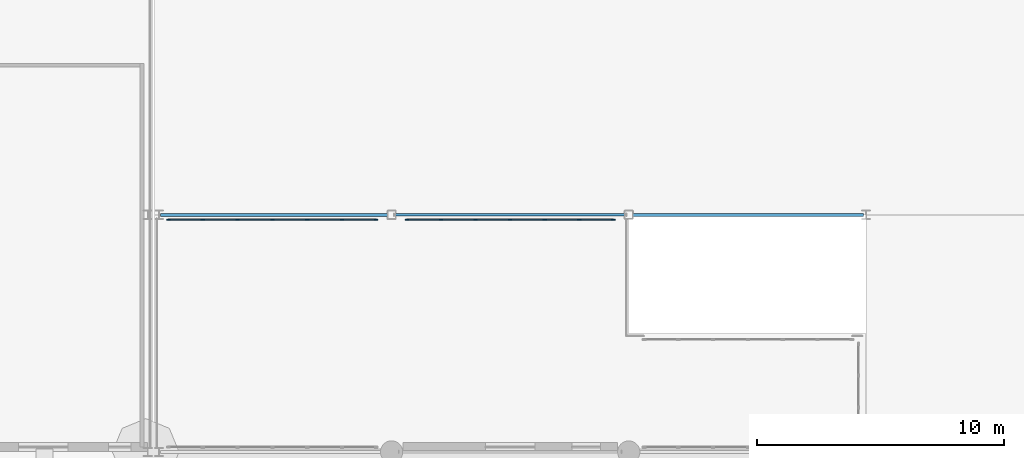
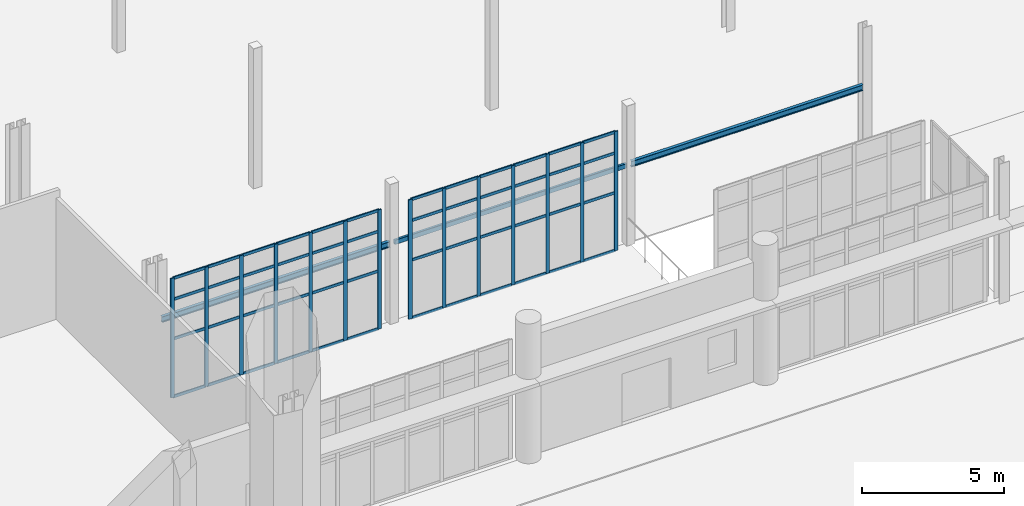
# One storey, part 29 of 139: 62 members, 3 beams, 2 elements without a shape of their own.
"""IFC4 building model written with IfcOpenShell, lengths in metres."""

from ifc_helpers import new_model, si_unit, direction, frame, origin, origin_2d, place, context, subcontext, project, spatial, rectangle, hollow_rectangle, i_section, extrude, material, layer, layer_set, material_profile, profile_set, type_object, element, aggregate, save


model = new_model("IFC4")

# Units and contexts
model_context = context("Model", 3, precision=1e-05, world=origin(), true_north=direction((0.0, 1.0)))
body_context = subcontext(model_context, "Body", "Model", "MODEL_VIEW")
ifc_project = project(units=[si_unit("LENGTHUNIT", "METRE"), si_unit("AREAUNIT", "SQUARE_METRE"), si_unit("VOLUMEUNIT", "CUBIC_METRE"), si_unit("PLANEANGLEUNIT", "RADIAN"), si_unit("MASSUNIT", "GRAM", prefix="KILO")], contexts=[model_context])

# Site, building, storey
site_placement = place(None, origin())
site = spatial("IfcSite", under=ifc_project, at=site_placement, CompositionType="ELEMENT")
building_placement = place(site_placement, origin())
building = spatial("IfcBuilding", under=site, at=building_placement, Name="Yeouljin Market Hall", CompositionType="ELEMENT")
storey_placement = place(building_placement, origin())
storey = spatial("IfcBuildingStorey", under=building, at=storey_placement, Name="L00", CompositionType="ELEMENT", Elevation=0.0)

# Curtain wall, members
ifc_material_1 = material(Name="Thermally Broken Aluminium", Category="aluminium")
ifc_layer = layer(ifc_material_1, 0.14990234375)
ifc_layer_set = layer_set([ifc_layer], Name="Thermally Broken Aluminium")
curtain_wall_type = type_object("IfcCurtainWallType", Name="CW_ColonnadeScreen_System", PredefinedType="USERDEFINED", material=ifc_layer_set)
curtain_wall_1_placement = place(storey_placement, origin())
curtain_wall_1 = element("IfcCurtainWall", 1, at=curtain_wall_1_placement, inside=storey, type_object=curtain_wall_type, Name="Curtain wall CW-V5N-L00-1", ObjectType="CURTAIN WALL", PredefinedType="USERDEFINED")
ifc_material_2 = material(Name="Thermally Broken Aluminium", Category="aluminium")
ifc_material_profile_1 = material_profile(ifc_material_2, rectangle(XDim=0.048095703125, YDim=0.14990234375, at=origin_2d()), Name="CW-MULL-48x150")
ifc_profile_set_1 = profile_set([ifc_material_profile_1], Name="Thermally Broken Aluminium")
member_type_1 = type_object("IfcMemberType", Name="CWMullion_48x150", PredefinedType="MULLION", material=ifc_profile_set_1)
member_1_placement = place(storey_placement, frame((35.97412109375, 9.39990234375, 0.0), z_axis=(0.0, 0.0, 1.0), x_axis=(0.0, 1.0, 0.0)))
member_1 = element("IfcMember", 2, at=member_1_placement, type_object=member_type_1, Name="CW-06 mullion 1", PredefinedType="MULLION", context=body_context, shape_type="SweptSolid", body=[
    extrude(rectangle(XDim=0.048095703125, YDim=0.14990234375, at=origin_2d()), origin(), (0.0, 0.0, 1.0), 5.1201171875),
])
member_2_placement = place(storey_placement, frame((37.3583984375, 9.39990234375, 0.0), z_axis=(0.0, 0.0, 1.0), x_axis=(0.0, 1.0, 0.0)))
member_2 = element("IfcMember", 3, at=member_2_placement, type_object=member_type_1, Name="CW-06 mullion 2", PredefinedType="MULLION", context=body_context, shape_type="SweptSolid", body=[
    extrude(rectangle(XDim=0.048095703125, YDim=0.14990234375, at=origin_2d()), origin(), (0.0, 0.0, 1.0), 5.1201171875),
])
member_3_placement = place(storey_placement, frame((38.7666015625, 9.39990234375, 0.0), z_axis=(0.0, 0.0, 1.0), x_axis=(0.0, 1.0, 0.0)))
member_3 = element("IfcMember", 4, at=member_3_placement, type_object=member_type_1, Name="CW-06 mullion 3", PredefinedType="MULLION", context=body_context, shape_type="SweptSolid", body=[
    extrude(rectangle(XDim=0.048095703125, YDim=0.14990234375, at=origin_2d()), origin(), (0.0, 0.0, 1.0), 5.1201171875),
])
member_4_placement = place(storey_placement, frame((40.175048828125, 9.39990234375, 0.0), z_axis=(0.0, 0.0, 1.0), x_axis=(0.0, 1.0, 0.0)))
member_4 = element("IfcMember", 5, at=member_4_placement, type_object=member_type_1, Name="CW-06 mullion 4", PredefinedType="MULLION", context=body_context, shape_type="SweptSolid", body=[
    extrude(rectangle(XDim=0.048095703125, YDim=0.14990234375, at=origin_2d()), origin(), (0.0, 0.0, 1.0), 5.1201171875),
])
member_5_placement = place(storey_placement, frame((41.583251953125, 9.39990234375, 0.0), z_axis=(0.0, 0.0, 1.0), x_axis=(0.0, 1.0, 0.0)))
member_5 = element("IfcMember", 6, at=member_5_placement, type_object=member_type_1, Name="CW-06 mullion 5", PredefinedType="MULLION", context=body_context, shape_type="SweptSolid", body=[
    extrude(rectangle(XDim=0.048095703125, YDim=0.14990234375, at=origin_2d()), origin(), (0.0, 0.0, 1.0), 5.1201171875),
])
member_6_placement = place(storey_placement, frame((42.99169921875, 9.39990234375, 0.0), z_axis=(0.0, 0.0, 1.0), x_axis=(0.0, 1.0, 0.0)))
member_6 = element("IfcMember", 7, at=member_6_placement, type_object=member_type_1, Name="CW-06 mullion 6", PredefinedType="MULLION", context=body_context, shape_type="SweptSolid", body=[
    extrude(rectangle(XDim=0.048095703125, YDim=0.14990234375, at=origin_2d()), origin(), (0.0, 0.0, 1.0), 5.1201171875),
])
member_7_placement = place(storey_placement, frame((44.3759765625, 9.39990234375, 0.0), z_axis=(0.0, 0.0, 1.0), x_axis=(0.0, 1.0, 0.0)))
member_7 = element("IfcMember", 8, at=member_7_placement, type_object=member_type_1, Name="CW-06 mullion 7", PredefinedType="MULLION", context=body_context, shape_type="SweptSolid", body=[
    extrude(rectangle(XDim=0.048095703125, YDim=0.14990234375, at=origin_2d()), origin(), (0.0, 0.0, 1.0), 5.1201171875),
])

curtain_wall_2_placement = place(storey_placement, origin())
curtain_wall_2 = element("IfcCurtainWall", 9, at=curtain_wall_2_placement, inside=storey, type_object=curtain_wall_type, Name="Curtain wall CW-V5N-L00-2", ObjectType="CURTAIN WALL", PredefinedType="USERDEFINED")
member_8_placement = place(storey_placement, frame((45.6240234375, 9.39990234375, 0.0), z_axis=(0.0, 0.0, 1.0), x_axis=(0.0, 1.0, 0.0)))
member_8 = element("IfcMember", 10, at=member_8_placement, type_object=member_type_1, Name="CW-06 mullion 1", PredefinedType="MULLION", context=body_context, shape_type="SweptSolid", body=[
    extrude(rectangle(XDim=0.048095703125, YDim=0.14990234375, at=origin_2d()), origin(), (0.0, 0.0, 1.0), 5.1201171875),
])
member_9_placement = place(storey_placement, frame((47.0, 9.39990234375, 0.0), z_axis=(0.0, 0.0, 1.0), x_axis=(0.0, 1.0, 0.0)))
member_9 = element("IfcMember", 11, at=member_9_placement, type_object=member_type_1, Name="CW-06 mullion 2", PredefinedType="MULLION", context=body_context, shape_type="SweptSolid", body=[
    extrude(rectangle(XDim=0.048095703125, YDim=0.14990234375, at=origin_2d()), origin(), (0.0, 0.0, 1.0), 5.1201171875),
])
member_10_placement = place(storey_placement, frame((48.39990234375, 9.39990234375, 0.0), z_axis=(0.0, 0.0, 1.0), x_axis=(0.0, 1.0, 0.0)))
member_10 = element("IfcMember", 12, at=member_10_placement, type_object=member_type_1, Name="CW-06 mullion 3", PredefinedType="MULLION", context=body_context, shape_type="SweptSolid", body=[
    extrude(rectangle(XDim=0.048095703125, YDim=0.14990234375, at=origin_2d()), origin(), (0.0, 0.0, 1.0), 5.1201171875),
])
member_11_placement = place(storey_placement, frame((49.800048828125, 9.39990234375, 0.0), z_axis=(0.0, 0.0, 1.0), x_axis=(0.0, 1.0, 0.0)))
member_11 = element("IfcMember", 13, at=member_11_placement, type_object=member_type_1, Name="CW-06 mullion 4", PredefinedType="MULLION", context=body_context, shape_type="SweptSolid", body=[
    extrude(rectangle(XDim=0.048095703125, YDim=0.14990234375, at=origin_2d()), origin(), (0.0, 0.0, 1.0), 5.1201171875),
])
member_12_placement = place(storey_placement, frame((51.199951171875, 9.39990234375, 0.0), z_axis=(0.0, 0.0, 1.0), x_axis=(0.0, 1.0, 0.0)))
member_12 = element("IfcMember", 14, at=member_12_placement, type_object=member_type_1, Name="CW-06 mullion 5", PredefinedType="MULLION", context=body_context, shape_type="SweptSolid", body=[
    extrude(rectangle(XDim=0.048095703125, YDim=0.14990234375, at=origin_2d()), origin(), (0.0, 0.0, 1.0), 5.1201171875),
])
member_13_placement = place(storey_placement, frame((52.60009765625, 9.39990234375, 0.0), z_axis=(0.0, 0.0, 1.0), x_axis=(0.0, 1.0, 0.0)))
member_13 = element("IfcMember", 15, at=member_13_placement, type_object=member_type_1, Name="CW-06 mullion 6", PredefinedType="MULLION", context=body_context, shape_type="SweptSolid", body=[
    extrude(rectangle(XDim=0.048095703125, YDim=0.14990234375, at=origin_2d()), origin(), (0.0, 0.0, 1.0), 5.1201171875),
])
member_14_placement = place(storey_placement, frame((53.97607421875, 9.39990234375, 0.0), z_axis=(0.0, 0.0, 1.0), x_axis=(0.0, 1.0, 0.0)))
member_14 = element("IfcMember", 16, at=member_14_placement, type_object=member_type_1, Name="CW-06 mullion 7", PredefinedType="MULLION", context=body_context, shape_type="SweptSolid", body=[
    extrude(rectangle(XDim=0.048095703125, YDim=0.14990234375, at=origin_2d()), origin(), (0.0, 0.0, 1.0), 5.1201171875),
])

# Member
ifc_material_3 = material(Name="Thermally Broken Aluminium", Category="aluminium")
ifc_material_profile_2 = material_profile(ifc_material_3, rectangle(XDim=0.048095703125, YDim=0.1201171875, at=origin_2d()), Name="CW-TRAN-48x120")
ifc_profile_set_2 = profile_set([ifc_material_profile_2], Name="Thermally Broken Aluminium")
member_type_2 = type_object("IfcMemberType", Name="CWTransom_48x120", PredefinedType="USERDEFINED", material=ifc_profile_set_2)
member_15_placement = place(storey_placement, frame((35.998046875, 9.39990234375, 0.02392578125), z_axis=(1.0, 0.0, 0.0), x_axis=(0.0, 1.0, 0.0)))
member_15 = element("IfcMember", 17, at=member_15_placement, type_object=member_type_2, Name="CW-06 transom 1.1", ObjectType="TRANSOM", PredefinedType="USERDEFINED", context=body_context, shape_type="SweptSolid", body=[
    extrude(rectangle(XDim=0.048095703125, YDim=0.1201171875, at=origin_2d()), origin(), (0.0, 0.0, 1.0), 1.336181640625),
])

member_16_placement = place(storey_placement, frame((35.998046875, 9.39990234375, 2.5), z_axis=(1.0, 0.0, 0.0), x_axis=(0.0, 1.0, 0.0)))
member_16 = element("IfcMember", 18, at=member_16_placement, type_object=member_type_2, Name="CW-06 transom 1.2", ObjectType="TRANSOM", PredefinedType="USERDEFINED", context=body_context, shape_type="SweptSolid", body=[
    extrude(rectangle(XDim=0.048095703125, YDim=0.1201171875, at=origin_2d()), origin(), (0.0, 0.0, 1.0), 1.336181640625),
])

member_17_placement = place(storey_placement, frame((35.998046875, 9.39990234375, 4.199951171875), z_axis=(1.0, 0.0, 0.0), x_axis=(0.0, 1.0, 0.0)))
member_17 = element("IfcMember", 19, at=member_17_placement, type_object=member_type_2, Name="CW-06 transom 1.3", ObjectType="TRANSOM", PredefinedType="USERDEFINED", context=body_context, shape_type="SweptSolid", body=[
    extrude(rectangle(XDim=0.048095703125, YDim=0.1201171875, at=origin_2d()), origin(), (0.0, 0.0, 1.0), 1.336181640625),
])

member_18_placement = place(storey_placement, frame((35.998046875, 9.39990234375, 5.095947265625), z_axis=(1.0, 0.0, 0.0), x_axis=(0.0, 1.0, 0.0)))
member_18 = element("IfcMember", 20, at=member_18_placement, type_object=member_type_2, Name="CW-06 transom 1.4", ObjectType="TRANSOM", PredefinedType="USERDEFINED", context=body_context, shape_type="SweptSolid", body=[
    extrude(rectangle(XDim=0.048095703125, YDim=0.1201171875, at=origin_2d()), origin(), (0.0, 0.0, 1.0), 1.336181640625),
])

member_19_placement = place(storey_placement, frame((37.38232421875, 9.39990234375, 0.02392578125), z_axis=(1.0, 0.0, 0.0), x_axis=(0.0, 1.0, 0.0)))
member_19 = element("IfcMember", 21, at=member_19_placement, type_object=member_type_2, Name="CW-06 transom 2.1", ObjectType="TRANSOM", PredefinedType="USERDEFINED", context=body_context, shape_type="SweptSolid", body=[
    extrude(rectangle(XDim=0.048095703125, YDim=0.1201171875, at=origin_2d()), origin(), (0.0, 0.0, 1.0), 1.3603515625),
])

member_20_placement = place(storey_placement, frame((37.38232421875, 9.39990234375, 2.5), z_axis=(1.0, 0.0, 0.0), x_axis=(0.0, 1.0, 0.0)))
member_20 = element("IfcMember", 22, at=member_20_placement, type_object=member_type_2, Name="CW-06 transom 2.2", ObjectType="TRANSOM", PredefinedType="USERDEFINED", context=body_context, shape_type="SweptSolid", body=[
    extrude(rectangle(XDim=0.048095703125, YDim=0.1201171875, at=origin_2d()), origin(), (0.0, 0.0, 1.0), 1.3603515625),
])

member_21_placement = place(storey_placement, frame((37.38232421875, 9.39990234375, 4.199951171875), z_axis=(1.0, 0.0, 0.0), x_axis=(0.0, 1.0, 0.0)))
member_21 = element("IfcMember", 23, at=member_21_placement, type_object=member_type_2, Name="CW-06 transom 2.3", ObjectType="TRANSOM", PredefinedType="USERDEFINED", context=body_context, shape_type="SweptSolid", body=[
    extrude(rectangle(XDim=0.048095703125, YDim=0.1201171875, at=origin_2d()), origin(), (0.0, 0.0, 1.0), 1.3603515625),
])

member_22_placement = place(storey_placement, frame((37.38232421875, 9.39990234375, 5.095947265625), z_axis=(1.0, 0.0, 0.0), x_axis=(0.0, 1.0, 0.0)))
member_22 = element("IfcMember", 24, at=member_22_placement, type_object=member_type_2, Name="CW-06 transom 2.4", ObjectType="TRANSOM", PredefinedType="USERDEFINED", context=body_context, shape_type="SweptSolid", body=[
    extrude(rectangle(XDim=0.048095703125, YDim=0.1201171875, at=origin_2d()), origin(), (0.0, 0.0, 1.0), 1.3603515625),
])

member_23_placement = place(storey_placement, frame((38.790771484375, 9.39990234375, 0.02392578125), z_axis=(1.0, 0.0, 0.0), x_axis=(0.0, 1.0, 0.0)))
member_23 = element("IfcMember", 25, at=member_23_placement, type_object=member_type_2, Name="CW-06 transom 3.1", ObjectType="TRANSOM", PredefinedType="USERDEFINED", context=body_context, shape_type="SweptSolid", body=[
    extrude(rectangle(XDim=0.048095703125, YDim=0.1201171875, at=origin_2d()), origin(), (0.0, 0.0, 1.0), 1.360107421875),
])

member_24_placement = place(storey_placement, frame((38.790771484375, 9.39990234375, 2.5), z_axis=(1.0, 0.0, 0.0), x_axis=(0.0, 1.0, 0.0)))
member_24 = element("IfcMember", 26, at=member_24_placement, type_object=member_type_2, Name="CW-06 transom 3.2", ObjectType="TRANSOM", PredefinedType="USERDEFINED", context=body_context, shape_type="SweptSolid", body=[
    extrude(rectangle(XDim=0.048095703125, YDim=0.1201171875, at=origin_2d()), origin(), (0.0, 0.0, 1.0), 1.360107421875),
])

member_25_placement = place(storey_placement, frame((38.790771484375, 9.39990234375, 4.199951171875), z_axis=(1.0, 0.0, 0.0), x_axis=(0.0, 1.0, 0.0)))
member_25 = element("IfcMember", 27, at=member_25_placement, type_object=member_type_2, Name="CW-06 transom 3.3", ObjectType="TRANSOM", PredefinedType="USERDEFINED", context=body_context, shape_type="SweptSolid", body=[
    extrude(rectangle(XDim=0.048095703125, YDim=0.1201171875, at=origin_2d()), origin(), (0.0, 0.0, 1.0), 1.360107421875),
])

member_26_placement = place(storey_placement, frame((38.790771484375, 9.39990234375, 5.095947265625), z_axis=(1.0, 0.0, 0.0), x_axis=(0.0, 1.0, 0.0)))
member_26 = element("IfcMember", 28, at=member_26_placement, type_object=member_type_2, Name="CW-06 transom 3.4", ObjectType="TRANSOM", PredefinedType="USERDEFINED", context=body_context, shape_type="SweptSolid", body=[
    extrude(rectangle(XDim=0.048095703125, YDim=0.1201171875, at=origin_2d()), origin(), (0.0, 0.0, 1.0), 1.360107421875),
])

member_27_placement = place(storey_placement, frame((40.198974609375, 9.39990234375, 0.02392578125), z_axis=(1.0, 0.0, 0.0), x_axis=(0.0, 1.0, 0.0)))
member_27 = element("IfcMember", 29, at=member_27_placement, type_object=member_type_2, Name="CW-06 transom 4.1", ObjectType="TRANSOM", PredefinedType="USERDEFINED", context=body_context, shape_type="SweptSolid", body=[
    extrude(rectangle(XDim=0.048095703125, YDim=0.1201171875, at=origin_2d()), origin(), (0.0, 0.0, 1.0), 1.3603515625),
])

member_28_placement = place(storey_placement, frame((40.198974609375, 9.39990234375, 2.5), z_axis=(1.0, 0.0, 0.0), x_axis=(0.0, 1.0, 0.0)))
member_28 = element("IfcMember", 30, at=member_28_placement, type_object=member_type_2, Name="CW-06 transom 4.2", ObjectType="TRANSOM", PredefinedType="USERDEFINED", context=body_context, shape_type="SweptSolid", body=[
    extrude(rectangle(XDim=0.048095703125, YDim=0.1201171875, at=origin_2d()), origin(), (0.0, 0.0, 1.0), 1.3603515625),
])

member_29_placement = place(storey_placement, frame((40.198974609375, 9.39990234375, 4.199951171875), z_axis=(1.0, 0.0, 0.0), x_axis=(0.0, 1.0, 0.0)))
member_29 = element("IfcMember", 31, at=member_29_placement, type_object=member_type_2, Name="CW-06 transom 4.3", ObjectType="TRANSOM", PredefinedType="USERDEFINED", context=body_context, shape_type="SweptSolid", body=[
    extrude(rectangle(XDim=0.048095703125, YDim=0.1201171875, at=origin_2d()), origin(), (0.0, 0.0, 1.0), 1.3603515625),
])

member_30_placement = place(storey_placement, frame((40.198974609375, 9.39990234375, 5.095947265625), z_axis=(1.0, 0.0, 0.0), x_axis=(0.0, 1.0, 0.0)))
member_30 = element("IfcMember", 32, at=member_30_placement, type_object=member_type_2, Name="CW-06 transom 4.4", ObjectType="TRANSOM", PredefinedType="USERDEFINED", context=body_context, shape_type="SweptSolid", body=[
    extrude(rectangle(XDim=0.048095703125, YDim=0.1201171875, at=origin_2d()), origin(), (0.0, 0.0, 1.0), 1.3603515625),
])

member_31_placement = place(storey_placement, frame((41.607421875, 9.39990234375, 0.02392578125), z_axis=(1.0, 0.0, 0.0), x_axis=(0.0, 1.0, 0.0)))
member_31 = element("IfcMember", 33, at=member_31_placement, type_object=member_type_2, Name="CW-06 transom 5.1", ObjectType="TRANSOM", PredefinedType="USERDEFINED", context=body_context, shape_type="SweptSolid", body=[
    extrude(rectangle(XDim=0.048095703125, YDim=0.1201171875, at=origin_2d()), origin(), (0.0, 0.0, 1.0), 1.3603515625),
])

member_32_placement = place(storey_placement, frame((41.607421875, 9.39990234375, 2.5), z_axis=(1.0, 0.0, 0.0), x_axis=(0.0, 1.0, 0.0)))
member_32 = element("IfcMember", 34, at=member_32_placement, type_object=member_type_2, Name="CW-06 transom 5.2", ObjectType="TRANSOM", PredefinedType="USERDEFINED", context=body_context, shape_type="SweptSolid", body=[
    extrude(rectangle(XDim=0.048095703125, YDim=0.1201171875, at=origin_2d()), origin(), (0.0, 0.0, 1.0), 1.3603515625),
])

member_33_placement = place(storey_placement, frame((41.607421875, 9.39990234375, 4.199951171875), z_axis=(1.0, 0.0, 0.0), x_axis=(0.0, 1.0, 0.0)))
member_33 = element("IfcMember", 35, at=member_33_placement, type_object=member_type_2, Name="CW-06 transom 5.3", ObjectType="TRANSOM", PredefinedType="USERDEFINED", context=body_context, shape_type="SweptSolid", body=[
    extrude(rectangle(XDim=0.048095703125, YDim=0.1201171875, at=origin_2d()), origin(), (0.0, 0.0, 1.0), 1.3603515625),
])

member_34_placement = place(storey_placement, frame((41.607421875, 9.39990234375, 5.095947265625), z_axis=(1.0, 0.0, 0.0), x_axis=(0.0, 1.0, 0.0)))
member_34 = element("IfcMember", 36, at=member_34_placement, type_object=member_type_2, Name="CW-06 transom 5.4", ObjectType="TRANSOM", PredefinedType="USERDEFINED", context=body_context, shape_type="SweptSolid", body=[
    extrude(rectangle(XDim=0.048095703125, YDim=0.1201171875, at=origin_2d()), origin(), (0.0, 0.0, 1.0), 1.3603515625),
])

member_35_placement = place(storey_placement, frame((43.015625, 9.39990234375, 0.02392578125), z_axis=(1.0, 0.0, 0.0), x_axis=(0.0, 1.0, 0.0)))
member_35 = element("IfcMember", 37, at=member_35_placement, type_object=member_type_2, Name="CW-06 transom 6.1", ObjectType="TRANSOM", PredefinedType="USERDEFINED", context=body_context, shape_type="SweptSolid", body=[
    extrude(rectangle(XDim=0.048095703125, YDim=0.1201171875, at=origin_2d()), origin(), (0.0, 0.0, 1.0), 1.33642578125),
])

member_36_placement = place(storey_placement, frame((43.015625, 9.39990234375, 2.5), z_axis=(1.0, 0.0, 0.0), x_axis=(0.0, 1.0, 0.0)))
member_36 = element("IfcMember", 38, at=member_36_placement, type_object=member_type_2, Name="CW-06 transom 6.2", ObjectType="TRANSOM", PredefinedType="USERDEFINED", context=body_context, shape_type="SweptSolid", body=[
    extrude(rectangle(XDim=0.048095703125, YDim=0.1201171875, at=origin_2d()), origin(), (0.0, 0.0, 1.0), 1.33642578125),
])

member_37_placement = place(storey_placement, frame((43.015625, 9.39990234375, 4.199951171875), z_axis=(1.0, 0.0, 0.0), x_axis=(0.0, 1.0, 0.0)))
member_37 = element("IfcMember", 39, at=member_37_placement, type_object=member_type_2, Name="CW-06 transom 6.3", ObjectType="TRANSOM", PredefinedType="USERDEFINED", context=body_context, shape_type="SweptSolid", body=[
    extrude(rectangle(XDim=0.048095703125, YDim=0.1201171875, at=origin_2d()), origin(), (0.0, 0.0, 1.0), 1.33642578125),
])

member_38_placement = place(storey_placement, frame((43.015625, 9.39990234375, 5.095947265625), z_axis=(1.0, 0.0, 0.0), x_axis=(0.0, 1.0, 0.0)))
member_38 = element("IfcMember", 40, at=member_38_placement, type_object=member_type_2, Name="CW-06 transom 6.4", ObjectType="TRANSOM", PredefinedType="USERDEFINED", context=body_context, shape_type="SweptSolid", body=[
    extrude(rectangle(XDim=0.048095703125, YDim=0.1201171875, at=origin_2d()), origin(), (0.0, 0.0, 1.0), 1.33642578125),
])

aggregate(curtain_wall_1, [member_1, member_2, member_3, member_4, member_5, member_6, member_7, member_15, member_16, member_17, member_18, member_19, member_20, member_21, member_22, member_23, member_24, member_25, member_26, member_27, member_28, member_29, member_30, member_31, member_32, member_33, member_34, member_35, member_36, member_37, member_38])

member_39_placement = place(storey_placement, frame((45.64794921875, 9.39990234375, 0.02392578125), z_axis=(1.0, 0.0, 0.0), x_axis=(0.0, 1.0, 0.0)))
member_39 = element("IfcMember", 41, at=member_39_placement, type_object=member_type_2, Name="CW-06 transom 1.1", ObjectType="TRANSOM", PredefinedType="USERDEFINED", context=body_context, shape_type="SweptSolid", body=[
    extrude(rectangle(XDim=0.048095703125, YDim=0.1201171875, at=origin_2d()), origin(), (0.0, 0.0, 1.0), 1.328125),
])

member_40_placement = place(storey_placement, frame((45.64794921875, 9.39990234375, 2.5), z_axis=(1.0, 0.0, 0.0), x_axis=(0.0, 1.0, 0.0)))
member_40 = element("IfcMember", 42, at=member_40_placement, type_object=member_type_2, Name="CW-06 transom 1.2", ObjectType="TRANSOM", PredefinedType="USERDEFINED", context=body_context, shape_type="SweptSolid", body=[
    extrude(rectangle(XDim=0.048095703125, YDim=0.1201171875, at=origin_2d()), origin(), (0.0, 0.0, 1.0), 1.328125),
])

member_41_placement = place(storey_placement, frame((45.64794921875, 9.39990234375, 4.199951171875), z_axis=(1.0, 0.0, 0.0), x_axis=(0.0, 1.0, 0.0)))
member_41 = element("IfcMember", 43, at=member_41_placement, type_object=member_type_2, Name="CW-06 transom 1.3", ObjectType="TRANSOM", PredefinedType="USERDEFINED", context=body_context, shape_type="SweptSolid", body=[
    extrude(rectangle(XDim=0.048095703125, YDim=0.1201171875, at=origin_2d()), origin(), (0.0, 0.0, 1.0), 1.328125),
])

member_42_placement = place(storey_placement, frame((45.64794921875, 9.39990234375, 5.095947265625), z_axis=(1.0, 0.0, 0.0), x_axis=(0.0, 1.0, 0.0)))
member_42 = element("IfcMember", 44, at=member_42_placement, type_object=member_type_2, Name="CW-06 transom 1.4", ObjectType="TRANSOM", PredefinedType="USERDEFINED", context=body_context, shape_type="SweptSolid", body=[
    extrude(rectangle(XDim=0.048095703125, YDim=0.1201171875, at=origin_2d()), origin(), (0.0, 0.0, 1.0), 1.328125),
])

member_43_placement = place(storey_placement, frame((47.02392578125, 9.39990234375, 0.02392578125), z_axis=(1.0, 0.0, 0.0), x_axis=(0.0, 1.0, 0.0)))
member_43 = element("IfcMember", 45, at=member_43_placement, type_object=member_type_2, Name="CW-06 transom 2.1", ObjectType="TRANSOM", PredefinedType="USERDEFINED", context=body_context, shape_type="SweptSolid", body=[
    extrude(rectangle(XDim=0.048095703125, YDim=0.1201171875, at=origin_2d()), origin(), (0.0, 0.0, 1.0), 1.35205078125),
])

member_44_placement = place(storey_placement, frame((47.02392578125, 9.39990234375, 2.5), z_axis=(1.0, 0.0, 0.0), x_axis=(0.0, 1.0, 0.0)))
member_44 = element("IfcMember", 46, at=member_44_placement, type_object=member_type_2, Name="CW-06 transom 2.2", ObjectType="TRANSOM", PredefinedType="USERDEFINED", context=body_context, shape_type="SweptSolid", body=[
    extrude(rectangle(XDim=0.048095703125, YDim=0.1201171875, at=origin_2d()), origin(), (0.0, 0.0, 1.0), 1.35205078125),
])

member_45_placement = place(storey_placement, frame((47.02392578125, 9.39990234375, 4.199951171875), z_axis=(1.0, 0.0, 0.0), x_axis=(0.0, 1.0, 0.0)))
member_45 = element("IfcMember", 47, at=member_45_placement, type_object=member_type_2, Name="CW-06 transom 2.3", ObjectType="TRANSOM", PredefinedType="USERDEFINED", context=body_context, shape_type="SweptSolid", body=[
    extrude(rectangle(XDim=0.048095703125, YDim=0.1201171875, at=origin_2d()), origin(), (0.0, 0.0, 1.0), 1.35205078125),
])

member_46_placement = place(storey_placement, frame((47.02392578125, 9.39990234375, 5.095947265625), z_axis=(1.0, 0.0, 0.0), x_axis=(0.0, 1.0, 0.0)))
member_46 = element("IfcMember", 48, at=member_46_placement, type_object=member_type_2, Name="CW-06 transom 2.4", ObjectType="TRANSOM", PredefinedType="USERDEFINED", context=body_context, shape_type="SweptSolid", body=[
    extrude(rectangle(XDim=0.048095703125, YDim=0.1201171875, at=origin_2d()), origin(), (0.0, 0.0, 1.0), 1.35205078125),
])

member_47_placement = place(storey_placement, frame((48.424072265625, 9.39990234375, 0.02392578125), z_axis=(1.0, 0.0, 0.0), x_axis=(0.0, 1.0, 0.0)))
member_47 = element("IfcMember", 49, at=member_47_placement, type_object=member_type_2, Name="CW-06 transom 3.1", ObjectType="TRANSOM", PredefinedType="USERDEFINED", context=body_context, shape_type="SweptSolid", body=[
    extrude(rectangle(XDim=0.048095703125, YDim=0.1201171875, at=origin_2d()), origin(), (0.0, 0.0, 1.0), 1.351806640625),
])

member_48_placement = place(storey_placement, frame((48.424072265625, 9.39990234375, 2.5), z_axis=(1.0, 0.0, 0.0), x_axis=(0.0, 1.0, 0.0)))
member_48 = element("IfcMember", 50, at=member_48_placement, type_object=member_type_2, Name="CW-06 transom 3.2", ObjectType="TRANSOM", PredefinedType="USERDEFINED", context=body_context, shape_type="SweptSolid", body=[
    extrude(rectangle(XDim=0.048095703125, YDim=0.1201171875, at=origin_2d()), origin(), (0.0, 0.0, 1.0), 1.351806640625),
])

member_49_placement = place(storey_placement, frame((48.424072265625, 9.39990234375, 4.199951171875), z_axis=(1.0, 0.0, 0.0), x_axis=(0.0, 1.0, 0.0)))
member_49 = element("IfcMember", 51, at=member_49_placement, type_object=member_type_2, Name="CW-06 transom 3.3", ObjectType="TRANSOM", PredefinedType="USERDEFINED", context=body_context, shape_type="SweptSolid", body=[
    extrude(rectangle(XDim=0.048095703125, YDim=0.1201171875, at=origin_2d()), origin(), (0.0, 0.0, 1.0), 1.351806640625),
])

member_50_placement = place(storey_placement, frame((48.424072265625, 9.39990234375, 5.095947265625), z_axis=(1.0, 0.0, 0.0), x_axis=(0.0, 1.0, 0.0)))
member_50 = element("IfcMember", 52, at=member_50_placement, type_object=member_type_2, Name="CW-06 transom 3.4", ObjectType="TRANSOM", PredefinedType="USERDEFINED", context=body_context, shape_type="SweptSolid", body=[
    extrude(rectangle(XDim=0.048095703125, YDim=0.1201171875, at=origin_2d()), origin(), (0.0, 0.0, 1.0), 1.351806640625),
])

member_51_placement = place(storey_placement, frame((49.823974609375, 9.39990234375, 0.02392578125), z_axis=(1.0, 0.0, 0.0), x_axis=(0.0, 1.0, 0.0)))
member_51 = element("IfcMember", 53, at=member_51_placement, type_object=member_type_2, Name="CW-06 transom 4.1", ObjectType="TRANSOM", PredefinedType="USERDEFINED", context=body_context, shape_type="SweptSolid", body=[
    extrude(rectangle(XDim=0.048095703125, YDim=0.1201171875, at=origin_2d()), origin(), (0.0, 0.0, 1.0), 1.35205078125),
])

member_52_placement = place(storey_placement, frame((49.823974609375, 9.39990234375, 2.5), z_axis=(1.0, 0.0, 0.0), x_axis=(0.0, 1.0, 0.0)))
member_52 = element("IfcMember", 54, at=member_52_placement, type_object=member_type_2, Name="CW-06 transom 4.2", ObjectType="TRANSOM", PredefinedType="USERDEFINED", context=body_context, shape_type="SweptSolid", body=[
    extrude(rectangle(XDim=0.048095703125, YDim=0.1201171875, at=origin_2d()), origin(), (0.0, 0.0, 1.0), 1.35205078125),
])

member_53_placement = place(storey_placement, frame((49.823974609375, 9.39990234375, 4.199951171875), z_axis=(1.0, 0.0, 0.0), x_axis=(0.0, 1.0, 0.0)))
member_53 = element("IfcMember", 55, at=member_53_placement, type_object=member_type_2, Name="CW-06 transom 4.3", ObjectType="TRANSOM", PredefinedType="USERDEFINED", context=body_context, shape_type="SweptSolid", body=[
    extrude(rectangle(XDim=0.048095703125, YDim=0.1201171875, at=origin_2d()), origin(), (0.0, 0.0, 1.0), 1.35205078125),
])

member_54_placement = place(storey_placement, frame((49.823974609375, 9.39990234375, 5.095947265625), z_axis=(1.0, 0.0, 0.0), x_axis=(0.0, 1.0, 0.0)))
member_54 = element("IfcMember", 56, at=member_54_placement, type_object=member_type_2, Name="CW-06 transom 4.4", ObjectType="TRANSOM", PredefinedType="USERDEFINED", context=body_context, shape_type="SweptSolid", body=[
    extrude(rectangle(XDim=0.048095703125, YDim=0.1201171875, at=origin_2d()), origin(), (0.0, 0.0, 1.0), 1.35205078125),
])

member_55_placement = place(storey_placement, frame((51.22412109375, 9.39990234375, 0.02392578125), z_axis=(1.0, 0.0, 0.0), x_axis=(0.0, 1.0, 0.0)))
member_55 = element("IfcMember", 57, at=member_55_placement, type_object=member_type_2, Name="CW-06 transom 5.1", ObjectType="TRANSOM", PredefinedType="USERDEFINED", context=body_context, shape_type="SweptSolid", body=[
    extrude(rectangle(XDim=0.048095703125, YDim=0.1201171875, at=origin_2d()), origin(), (0.0, 0.0, 1.0), 1.351806640625),
])

member_56_placement = place(storey_placement, frame((51.22412109375, 9.39990234375, 2.5), z_axis=(1.0, 0.0, 0.0), x_axis=(0.0, 1.0, 0.0)))
member_56 = element("IfcMember", 58, at=member_56_placement, type_object=member_type_2, Name="CW-06 transom 5.2", ObjectType="TRANSOM", PredefinedType="USERDEFINED", context=body_context, shape_type="SweptSolid", body=[
    extrude(rectangle(XDim=0.048095703125, YDim=0.1201171875, at=origin_2d()), origin(), (0.0, 0.0, 1.0), 1.351806640625),
])

member_57_placement = place(storey_placement, frame((51.22412109375, 9.39990234375, 4.199951171875), z_axis=(1.0, 0.0, 0.0), x_axis=(0.0, 1.0, 0.0)))
member_57 = element("IfcMember", 59, at=member_57_placement, type_object=member_type_2, Name="CW-06 transom 5.3", ObjectType="TRANSOM", PredefinedType="USERDEFINED", context=body_context, shape_type="SweptSolid", body=[
    extrude(rectangle(XDim=0.048095703125, YDim=0.1201171875, at=origin_2d()), origin(), (0.0, 0.0, 1.0), 1.351806640625),
])

member_58_placement = place(storey_placement, frame((51.22412109375, 9.39990234375, 5.095947265625), z_axis=(1.0, 0.0, 0.0), x_axis=(0.0, 1.0, 0.0)))
member_58 = element("IfcMember", 60, at=member_58_placement, type_object=member_type_2, Name="CW-06 transom 5.4", ObjectType="TRANSOM", PredefinedType="USERDEFINED", context=body_context, shape_type="SweptSolid", body=[
    extrude(rectangle(XDim=0.048095703125, YDim=0.1201171875, at=origin_2d()), origin(), (0.0, 0.0, 1.0), 1.351806640625),
])

member_59_placement = place(storey_placement, frame((52.6240234375, 9.39990234375, 0.02392578125), z_axis=(1.0, 0.0, 0.0), x_axis=(0.0, 1.0, 0.0)))
member_59 = element("IfcMember", 61, at=member_59_placement, type_object=member_type_2, Name="CW-06 transom 6.1", ObjectType="TRANSOM", PredefinedType="USERDEFINED", context=body_context, shape_type="SweptSolid", body=[
    extrude(rectangle(XDim=0.048095703125, YDim=0.1201171875, at=origin_2d()), origin(), (0.0, 0.0, 1.0), 1.327880859375),
])

member_60_placement = place(storey_placement, frame((52.6240234375, 9.39990234375, 2.5), z_axis=(1.0, 0.0, 0.0), x_axis=(0.0, 1.0, 0.0)))
member_60 = element("IfcMember", 62, at=member_60_placement, type_object=member_type_2, Name="CW-06 transom 6.2", ObjectType="TRANSOM", PredefinedType="USERDEFINED", context=body_context, shape_type="SweptSolid", body=[
    extrude(rectangle(XDim=0.048095703125, YDim=0.1201171875, at=origin_2d()), origin(), (0.0, 0.0, 1.0), 1.327880859375),
])

member_61_placement = place(storey_placement, frame((52.6240234375, 9.39990234375, 4.199951171875), z_axis=(1.0, 0.0, 0.0), x_axis=(0.0, 1.0, 0.0)))
member_61 = element("IfcMember", 63, at=member_61_placement, type_object=member_type_2, Name="CW-06 transom 6.3", ObjectType="TRANSOM", PredefinedType="USERDEFINED", context=body_context, shape_type="SweptSolid", body=[
    extrude(rectangle(XDim=0.048095703125, YDim=0.1201171875, at=origin_2d()), origin(), (0.0, 0.0, 1.0), 1.327880859375),
])

member_62_placement = place(storey_placement, frame((52.6240234375, 9.39990234375, 5.095947265625), z_axis=(1.0, 0.0, 0.0), x_axis=(0.0, 1.0, 0.0)))
member_62 = element("IfcMember", 64, at=member_62_placement, type_object=member_type_2, Name="CW-06 transom 6.4", ObjectType="TRANSOM", PredefinedType="USERDEFINED", context=body_context, shape_type="SweptSolid", body=[
    extrude(rectangle(XDim=0.048095703125, YDim=0.1201171875, at=origin_2d()), origin(), (0.0, 0.0, 1.0), 1.327880859375),
])

aggregate(curtain_wall_2, [member_8, member_9, member_10, member_11, member_12, member_13, member_14, member_39, member_40, member_41, member_42, member_43, member_44, member_45, member_46, member_47, member_48, member_49, member_50, member_51, member_52, member_53, member_54, member_55, member_56, member_57, member_58, member_59, member_60, member_61, member_62])

# Beams
ifc_material_4 = material(Name="Steel SM355", Category="steel")
ifc_material_profile_3 = material_profile(ifc_material_4, i_section(OverallWidth=0.125, OverallDepth=0.25, WebThickness=0.006103515625, FlangeThickness=0.009033203125, FilletRadius=0.011962890625, at=origin_2d()), Name="H-250x125x6x9")
ifc_profile_set_3 = profile_set([ifc_material_profile_3], Name="Steel SM355")
beam_type_1 = type_object("IfcBeamType", Name="Lintel_H250x125", PredefinedType="LINTEL", material=ifc_profile_set_3)
beam_1_placement = place(storey_placement, frame((35.64990234375, 9.60009765625, 3.35009765625), z_axis=(1.0, 0.0, 0.0), x_axis=(0.0, 1.0, 0.0)))
element("IfcBeam", 65, at=beam_1_placement, inside=storey, type_object=beam_type_1, Name="Colonnade portal lintel L00-01", PredefinedType="LINTEL", context=body_context, shape_type="SweptSolid", body=[
    extrude(i_section(OverallWidth=0.125, OverallDepth=0.25, WebThickness=0.006103515625, FlangeThickness=0.009033203125, FilletRadius=0.011962890625, at=origin_2d()), origin(), (0.0, 0.0, 1.0), 9.25),
])
beam_2_placement = place(storey_placement, frame((54.699951171875, 9.60009765625, 3.35009765625), z_axis=(1.0, 0.0, 0.0), x_axis=(0.0, 1.0, 0.0)))
element("IfcBeam", 66, at=beam_2_placement, inside=storey, type_object=beam_type_1, Name="Colonnade portal lintel L00-03", PredefinedType="LINTEL", context=body_context, shape_type="SweptSolid", body=[
    extrude(i_section(OverallWidth=0.125, OverallDepth=0.25, WebThickness=0.006103515625, FlangeThickness=0.009033203125, FilletRadius=0.011962890625, at=origin_2d()), origin(), (0.0, 0.0, 1.0), 9.400146484375),
])
ifc_material_5 = material(Name="Steel SS275", Category="steel")
ifc_material_profile_4 = material_profile(ifc_material_5, hollow_rectangle(XDim=0.10009765625, YDim=0.199951171875, WallThickness=0.006103515625, InnerFilletRadius=0.006103515625, OuterFilletRadius=0.011962890625, at=origin_2d()), Name="RHS-200x100x6")
ifc_profile_set_4 = profile_set([ifc_material_profile_4], Name="Steel SS275")
beam_type_2 = type_object("IfcBeamType", Name="Lintel_RHS200x100", PredefinedType="LINTEL", material=ifc_profile_set_4)
beam_3_placement = place(storey_placement, frame((45.10009765625, 9.60009765625, 3.35009765625), z_axis=(1.0, 0.0, 0.0), x_axis=(0.0, 1.0, 0.0)))
element("IfcBeam", 67, at=beam_3_placement, inside=storey, type_object=beam_type_2, Name="Colonnade portal lintel L00-02", PredefinedType="LINTEL", context=body_context, shape_type="SweptSolid", body=[
    extrude(hollow_rectangle(XDim=0.10009765625, YDim=0.199951171875, WallThickness=0.006103515625, InnerFilletRadius=0.006103515625, OuterFilletRadius=0.011962890625, at=origin_2d()), origin(), (0.0, 0.0, 1.0), 9.39990234375),
])

save(model, "model.ifc")
